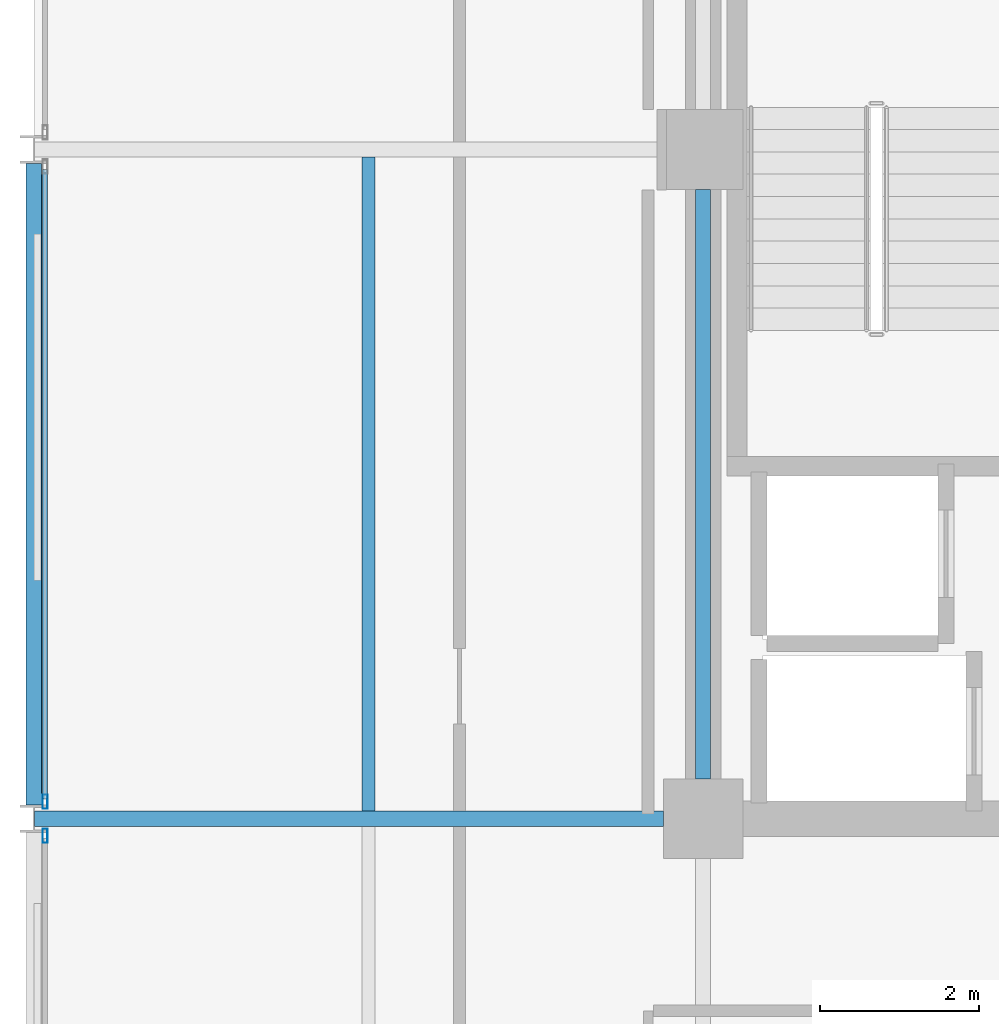
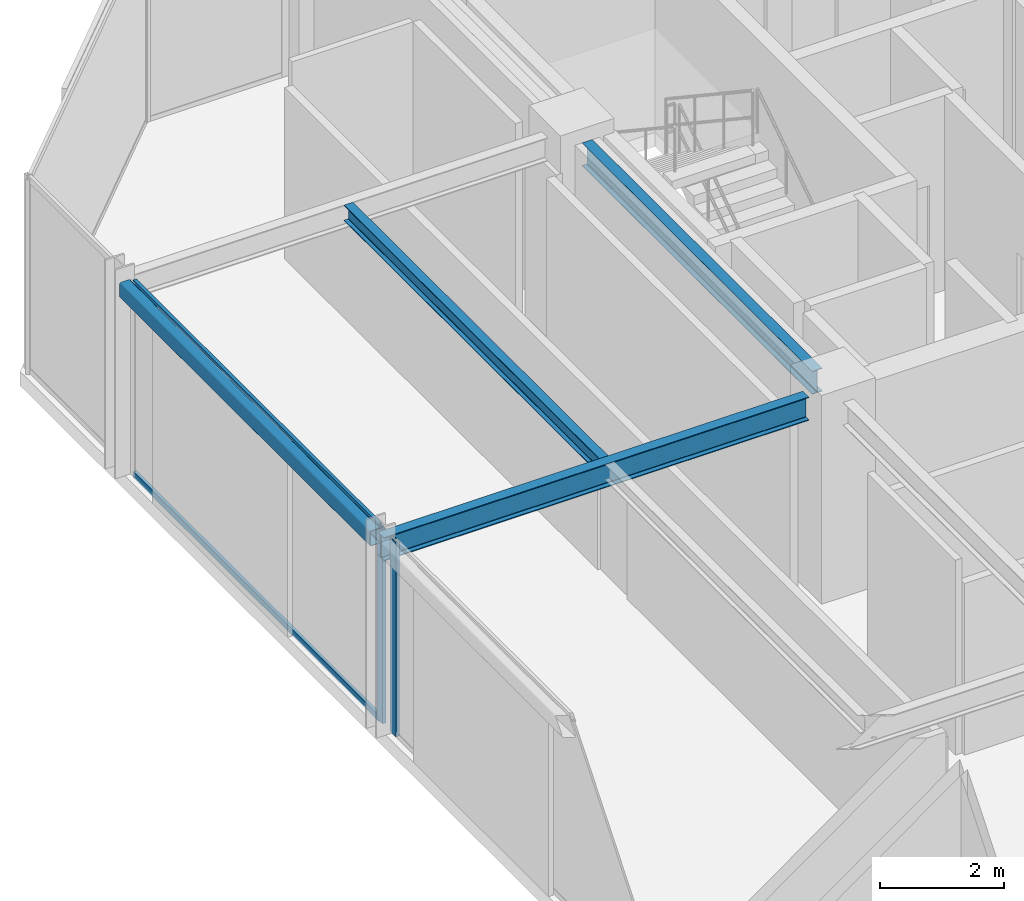
# One storey, part 10 of 25: 4 beams, 4 members, 2 elements without a shape of their own.
"""IFC4 building model written with IfcOpenShell, lengths in metres."""

from ifc_helpers import new_model, si_unit, direction, frame, origin, origin_2d, place, context, subcontext, project, spatial, hollow_rectangle, i_section, extrude, material, layer, layer_set, material_profile, profile_set, type_object, element, aggregate, save


model = new_model("IFC4")

# Units and contexts
model_context = context("Model", 3, precision=1e-05, world=origin(), true_north=direction((0.0, 1.0)))
body_context = subcontext(model_context, "Body", "Model", "MODEL_VIEW")
ifc_project = project(units=[si_unit("LENGTHUNIT", "METRE"), si_unit("AREAUNIT", "SQUARE_METRE"), si_unit("VOLUMEUNIT", "CUBIC_METRE"), si_unit("PLANEANGLEUNIT", "RADIAN"), si_unit("MASSUNIT", "GRAM", prefix="KILO")], contexts=[model_context])

# Site, building, storey
site_placement = place(None, origin())
site = spatial("IfcSite", under=ifc_project, at=site_placement, CompositionType="ELEMENT")
building_placement = place(site_placement, origin())
building = spatial("IfcBuilding", under=site, at=building_placement, Name="Nerrivon Quay Data Exchange", CompositionType="ELEMENT")
storey_placement = place(building_placement, frame((0.0, 0.0, 224.699951171875)))
storey = spatial("IfcBuildingStorey", under=building, at=storey_placement, Name="L53", CompositionType="ELEMENT", Elevation=224.699951171875)

# Beams
ifc_material_1 = material(Name="Steel Grade 350", Category="steel")
ifc_material_profile_1 = material_profile(ifc_material_1, i_section(OverallWidth=0.19091796875, OverallDepth=0.4599609375, WebThickness=0.010009765625, FlangeThickness=0.01611328125, FilletRadius=0.011474609375, at=origin_2d()), Name="460UB82.1")
ifc_profile_set_1 = profile_set([ifc_material_profile_1], Name="Steel Grade 350")
beam_type_1 = type_object("IfcBeamType", Name="BM-G5-460UB82", PredefinedType="BEAM", material=ifc_profile_set_1)
beam_1_placement = place(storey_placement, frame((0.010009765625, 25.199951171875, 3.594970703125), z_axis=(1.0, 0.0, 0.0), x_axis=(0.0, 1.0, 0.0)))
element("IfcBeam", 1, at=beam_1_placement, inside=storey, type_object=beam_type_1, Name="L53 EW Girder Y=25.2 (0.0..8.4)", PredefinedType="BEAM", context=body_context, shape_type="SweptSolid", body=[
    extrude(i_section(OverallWidth=0.19091796875, OverallDepth=0.4599609375, WebThickness=0.010009765625, FlangeThickness=0.01611328125, FilletRadius=0.011474609375, at=origin_2d()), origin(), (0.0, 0.0, 1.0), 7.889892578125),
])
ifc_material_profile_2 = material_profile(ifc_material_1, i_section(OverallWidth=0.18994140625, OverallDepth=0.4541015625, WebThickness=0.008544921875, FlangeThickness=0.0126953125, FilletRadius=0.011474609375, at=origin_2d()), Name="460UB67.1")
ifc_profile_set_2 = profile_set([ifc_material_profile_2], Name="Steel Grade 350")
beam_type_2 = type_object("IfcBeamType", Name="BM-G6-460UB67", PredefinedType="BEAM", material=ifc_profile_set_2)
beam_2_placement = place(storey_placement, frame((8.39990234375, 25.699951171875, 3.59814453125), z_axis=(0.0, 1.0, 0.0), x_axis=(-1.0, 0.0, 0.0)))
element("IfcBeam", 2, at=beam_2_placement, inside=storey, type_object=beam_type_2, Name="L53 NS Girder X=8.4 (25.2..33.6)", PredefinedType="BEAM", context=body_context, shape_type="SweptSolid", body=[
    extrude(i_section(OverallWidth=0.18994140625, OverallDepth=0.4541015625, WebThickness=0.008544921875, FlangeThickness=0.0126953125, FilletRadius=0.011474609375, at=origin_2d()), origin(), (0.0, 0.0, 1.0), 7.400146484375),
])
ifc_material_profile_3 = material_profile(ifc_material_1, i_section(OverallWidth=0.166015625, OverallDepth=0.306884765625, WebThickness=0.006591796875, FlangeThickness=0.01171875, FilletRadius=0.011474609375, at=origin_2d()), Name="310UB46.2")
ifc_profile_set_3 = profile_set([ifc_material_profile_3], Name="Steel Grade 350")
beam_type_3 = type_object("IfcBeamType", Name="BM-J5-310UB46", PredefinedType="JOIST", material=ifc_profile_set_3)
beam_3_placement = place(storey_placement, frame((4.199951171875, 25.29541015625, 3.671630859375), z_axis=(0.0, 1.0, 0.0), x_axis=(-1.0, 0.0, 0.0)))
element("IfcBeam", 3, at=beam_3_placement, inside=storey, type_object=beam_type_3, Name="L53 Secondary Joist X=4.2 (25.2..33.6)", PredefinedType="JOIST", context=body_context, shape_type="SweptSolid", body=[
    extrude(i_section(OverallWidth=0.166015625, OverallDepth=0.306884765625, WebThickness=0.006591796875, FlangeThickness=0.01171875, FilletRadius=0.011474609375, at=origin_2d()), origin(), (0.0, 0.0, 1.0), 8.208984375),
])
ifc_material_2 = material(Name="Steel Grade C350L0 (350 MPa)", Category="steel")
ifc_material_profile_4 = material_profile(ifc_material_2, hollow_rectangle(XDim=0.199951171875, YDim=0.300048828125, WallThickness=0.012451171875, InnerFilletRadius=0.018798828125, OuterFilletRadius=0.03125, at=origin_2d()), Name="300x200x12.5RHS")
ifc_profile_set_4 = profile_set([ifc_material_profile_4], Name="Steel Grade C350L0 (350 MPa)")
beam_type_4 = type_object("IfcBeamType", Name="BM-SP3-300x200RHS", PredefinedType="SPANDREL", material=ifc_profile_set_4)
beam_4_placement = place(storey_placement, frame((0.0, 25.375, 3.675048828125), z_axis=(0.0, 1.0, 0.0), x_axis=(-1.0, 0.0, 0.0)))
element("IfcBeam", 4, at=beam_4_placement, inside=storey, type_object=beam_type_4, Name="L53 NS Girder X=0.0 (25.2..33.6)", PredefinedType="SPANDREL", context=body_context, shape_type="SweptSolid", body=[
    extrude(hollow_rectangle(XDim=0.199951171875, YDim=0.300048828125, WallThickness=0.012451171875, InnerFilletRadius=0.018798828125, OuterFilletRadius=0.03125, at=origin_2d()), origin(), (0.0, 0.0, 1.0), 8.050048828125),
])

# Curtain wall, member
ifc_material_3 = material(Name="Anodised aluminium 6063-T6", Category="aluminium")
ifc_layer = layer(ifc_material_3, 0.195068359375)
ifc_layer_set = layer_set([ifc_layer], Name="Anodised aluminium 6063-T6")
curtain_wall_type = type_object("IfcCurtainWallType", Name="CW-SYS-06", PredefinedType="NOTDEFINED", material=ifc_layer_set)
curtain_wall_1_placement = place(storey_placement, origin())
curtain_wall_1 = element("IfcCurtainWall", 5, at=curtain_wall_1_placement, inside=storey, type_object=curtain_wall_type, Name="L53 Unitised Curtain Wall 13", PredefinedType="NOTDEFINED")
ifc_material_profile_5 = material_profile(ifc_material_3, hollow_rectangle(XDim=0.06494140625, YDim=0.179931640625, WallThickness=0.00341796875, at=origin_2d()), Name="ALU-MULL-180x65")
ifc_profile_set_5 = profile_set([ifc_material_profile_5], Name="Anodised aluminium 6063-T6")
member_type_1 = type_object("IfcMemberType", Name="CWM-180x65", PredefinedType="MULLION", material=ifc_profile_set_5)
member_1_placement = place(storey_placement, frame((0.139892578125, 24.987548828125, 0.0), z_axis=(0.0, 0.0, 1.0), x_axis=(-1.0, 0.0, 0.0)))
member_1 = element("IfcMember", 6, at=member_1_placement, type_object=member_type_1, Name="CW06 mullion 2", PredefinedType="MULLION", context=body_context, shape_type="SweptSolid", body=[
    extrude(hollow_rectangle(XDim=0.06494140625, YDim=0.179931640625, WallThickness=0.00341796875, at=origin_2d()), origin(), (0.0, 0.0, 1.0), 3.824951171875),
])
aggregate(curtain_wall_1, [member_1])

# Curtain wall, members
curtain_wall_2_placement = place(storey_placement, origin())
curtain_wall_2 = element("IfcCurtainWall", 7, at=curtain_wall_2_placement, inside=storey, type_object=curtain_wall_type, Name="L53 Unitised Curtain Wall 14", PredefinedType="NOTDEFINED")
member_2_placement = place(storey_placement, frame((0.139892578125, 25.41259765625, 0.0), z_axis=(0.0, 0.0, 1.0), x_axis=(-1.0, 0.0, 0.0)))
member_2 = element("IfcMember", 8, at=member_2_placement, type_object=member_type_1, Name="CW06 mullion 1", PredefinedType="MULLION", context=body_context, shape_type="SweptSolid", body=[
    extrude(hollow_rectangle(XDim=0.06494140625, YDim=0.179931640625, WallThickness=0.00341796875, at=origin_2d()), origin(), (0.0, 0.0, 1.0), 3.824951171875),
])
ifc_material_profile_6 = material_profile(ifc_material_3, hollow_rectangle(XDim=0.06005859375, YDim=0.1201171875, WallThickness=0.003173828125, at=origin_2d()), Name="ALU-TRAN-120x60")
ifc_profile_set_6 = profile_set([ifc_material_profile_6], Name="Anodised aluminium 6063-T6")
member_type_2 = type_object("IfcMemberType", Name="CWT-120x60", PredefinedType="USERDEFINED", material=ifc_profile_set_6)
member_3_placement = place(storey_placement, frame((0.139892578125, 25.449951171875, 0.032470703125), z_axis=(0.0, 1.0, 0.0), x_axis=(-1.0, 0.0, 0.0)))
member_3 = element("IfcMember", 9, at=member_3_placement, type_object=member_type_2, Name="CW06 transom 1.1", ObjectType="TRANSOM", PredefinedType="USERDEFINED", context=body_context, shape_type="SweptSolid", body=[
    extrude(hollow_rectangle(XDim=0.06005859375, YDim=0.1201171875, WallThickness=0.003173828125, at=origin_2d()), origin(), (0.0, 0.0, 1.0), 7.900146484375),
])
member_4_placement = place(storey_placement, frame((0.139892578125, 25.449951171875, 3.79248046875), z_axis=(0.0, 1.0, 0.0), x_axis=(-1.0, 0.0, 0.0)))
member_4 = element("IfcMember", 10, at=member_4_placement, type_object=member_type_2, Name="CW06 transom 1.2", ObjectType="TRANSOM", PredefinedType="USERDEFINED", context=body_context, shape_type="SweptSolid", body=[
    extrude(hollow_rectangle(XDim=0.06005859375, YDim=0.1201171875, WallThickness=0.003173828125, at=origin_2d()), origin(), (0.0, 0.0, 1.0), 7.900146484375),
])
aggregate(curtain_wall_2, [member_2, member_3, member_4])

save(model, "model.ifc")
